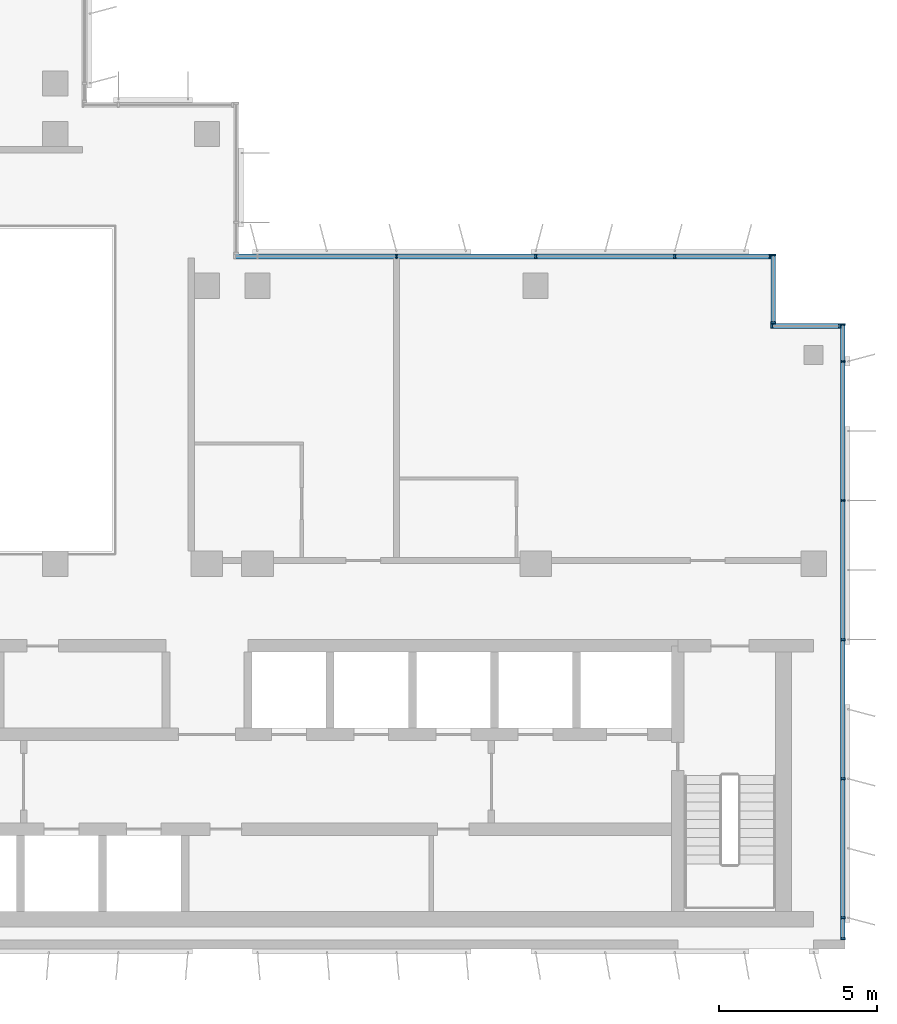
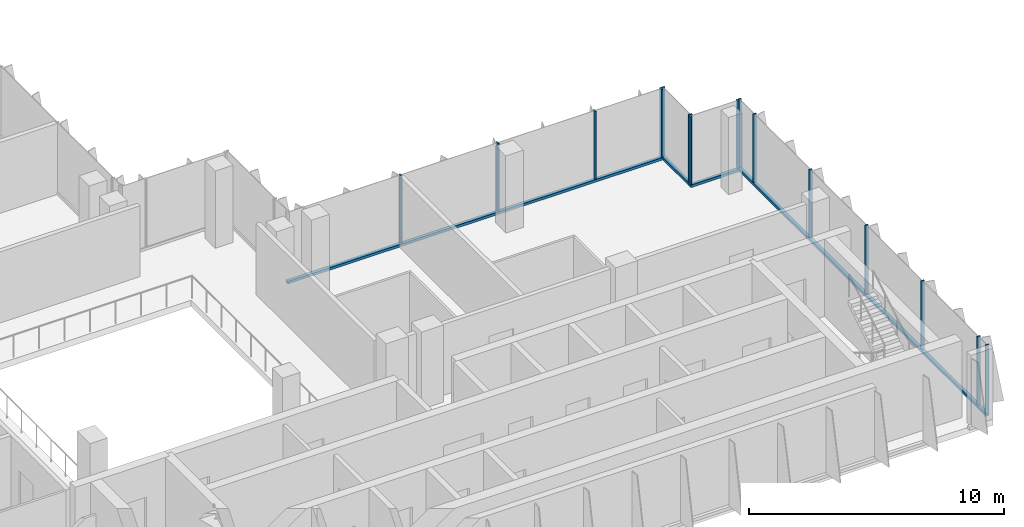
# One storey, part 3 of 15: 19 members, 4 elements without a shape of their own.
"""IFC4 building model written with IfcOpenShell, lengths in metres."""

import ifcopenshell
import ifcopenshell.guid

model = None  # the IFC model being written
_history = None  # IfcOwnerHistory: only IFC2X3 demands one
_inside = {}  # id of a spatial element -> (the spatial element, [elements in it])
_under = {}  # id of a project, library or spatial element -> (it, [spatial elements below it])
_declared = {}  # id of a project -> (the project, [libraries it declares])
_typed = {}  # id of a type object -> (the type object, [elements of that type])
_made_of = {}  # id of a material, layer set ... -> (it, [elements and type objects made of it])


def new_model(schema):
    """Start an empty IFC model of exactly this schema.

    Asked for "IFC4X3", IfcOpenShell would pick the latest addendum, in which some entities
    have other attributes; the version numbers below select the first issue.
    IFC2X3 requires an IfcOwnerHistory on every rooted entity: one is made here for all.
    """
    global model, _history
    if schema == "IFC4X3":
        model = ifcopenshell.file(schema_version=(4, 3, 0, 0))
    else:
        model = ifcopenshell.file(schema=schema)
    _inside.clear()
    _under.clear()
    _declared.clear()
    _typed.clear()
    _made_of.clear()
    _history = None
    if model.schema == "IFC2X3":
        org = make("IfcOrganization", Name="unknown")
        user = make(
            "IfcPersonAndOrganization",
            ThePerson=make("IfcPerson", FamilyName="unknown"),
            TheOrganization=org,
        )
        app = make(
            "IfcApplication",
            ApplicationDeveloper=org,
            Version="unknown",
            ApplicationFullName="unknown",
            ApplicationIdentifier="unknown",
        )
        _history = make(
            "IfcOwnerHistory",
            OwningUser=user,
            OwningApplication=app,
            ChangeAction="ADDED",
            CreationDate=0,
        )
    return model


def make(cls, **values):
    """One entity of the class cls with the attributes given. An attribute that is None is left unset."""
    return model.create_entity(
        cls, **{name: value for name, value in values.items() if value is not None}
    )


def rooted(cls, **values):
    """An entity with a GlobalId (a new one), such as an element, a storey or a relation."""
    return make(cls, GlobalId=ifcopenshell.guid.new(), OwnerHistory=_history, **values)


def si_unit(unit_type, name, prefix=None):
    """IfcSIUnit, for example si_unit("LENGTHUNIT", "METRE", prefix="MILLI")."""
    return make("IfcSIUnit", UnitType=unit_type, Prefix=prefix, Name=name)


def assignment(units):
    """IfcUnitAssignment: the units of a project."""
    return None if units is None else make("IfcUnitAssignment", Units=units)


def point(xyz):
    """IfcCartesianPoint."""
    return None if xyz is None else make("IfcCartesianPoint", Coordinates=xyz)


def direction(xyz):
    """IfcDirection."""
    return None if xyz is None else make("IfcDirection", DirectionRatios=xyz)


def frame(location, z_axis=None, x_axis=None):
    """IfcAxis2Placement3D, a coordinate frame: its origin and axes. An axis left out is left unset."""
    return make(
        "IfcAxis2Placement3D",
        Location=point(location),
        Axis=direction(z_axis),
        RefDirection=direction(x_axis),
    )


def frame_2d(location, x_axis=None):
    """IfcAxis2Placement2D, a coordinate frame in the plane: its origin and x axis."""
    return make(
        "IfcAxis2Placement2D", Location=point(location), RefDirection=direction(x_axis)
    )


def origin():
    """The frame at (0, 0, 0) with its axes left unset."""
    return frame((0.0, 0.0, 0.0))


def origin_2d():
    """The frame at (0, 0) in the plane with its x axis left unset."""
    return frame_2d((0.0, 0.0))


def place(relative_to, where):
    """IfcLocalPlacement: puts the frame where relative to a parent placement (None: the world)."""
    return make(
        "IfcLocalPlacement", PlacementRelTo=relative_to, RelativePlacement=where
    )


def context(
    kind, dimensions, precision=None, world=None, true_north=None, identifier=None
):
    """IfcGeometricRepresentationContext, for example the 3D "Model" context."""
    return make(
        "IfcGeometricRepresentationContext",
        ContextIdentifier=identifier,
        ContextType=kind,
        CoordinateSpaceDimension=dimensions,
        Precision=precision,
        WorldCoordinateSystem=world,
        TrueNorth=true_north,
    )


def subcontext(parent, identifier, kind, view, scale=None):
    """IfcGeometricRepresentationSubContext, for example "Body" below "Model"."""
    return make(
        "IfcGeometricRepresentationSubContext",
        ContextIdentifier=identifier,
        ContextType=kind,
        ParentContext=parent,
        TargetScale=scale,
        TargetView=view,
    )


def project(units=None, contexts=None):
    """IfcProject with its units and contexts."""
    return rooted(
        "IfcProject",
        Name="project",
        RepresentationContexts=contexts,
        UnitsInContext=assignment(units),
    )


def spatial(cls, under=None, at=None, **own):
    """A site, building, storey or space (cls), placed at a placement, below another one or the project."""
    s = rooted(cls, ObjectPlacement=at, **own)
    if under is not None:
        _under.setdefault(under.id(), (under, []))[1].append(s)
    return s


def profile(cls, at=None, kind="AREA", **sizes):
    """A parametric profile (cls). Its sizes go by their IFC names, for example OverallWidth=200.0."""
    return make(cls, ProfileType=kind, Position=at, **sizes)


def rectangle(**sizes):
    """IfcRectangleProfileDef."""
    return profile("IfcRectangleProfileDef", **sizes)


def extrude(swept, where, along, depth):
    """IfcExtrudedAreaSolid: the profile swept, set in the frame where, extruded along a direction by depth."""
    return make(
        "IfcExtrudedAreaSolid",
        SweptArea=swept,
        Position=where,
        ExtrudedDirection=direction(along),
        Depth=depth,
    )


def shape(context_of_items, identifier, shape_type, items):
    """IfcShapeRepresentation: the items that make up one representation, for example the "Body"."""
    return make(
        "IfcShapeRepresentation",
        ContextOfItems=context_of_items,
        RepresentationIdentifier=identifier,
        RepresentationType=shape_type,
        Items=items,
    )


def source(mapping_origin, context_of_items, identifier, shape_type, items):
    """IfcRepresentationMap: a shape defined once, which mapped items show again and again."""
    return make(
        "IfcRepresentationMap",
        MappingOrigin=mapping_origin,
        MappedRepresentation=shape(context_of_items, identifier, shape_type, items),
    )


def transform(
    local_origin,
    x_axis=None,
    y_axis=None,
    z_axis=None,
    scale=None,
    scale2=None,
    scale3=None,
    uniform=True,
):
    """IfcCartesianTransformationOperator3D, or its non-uniform kind. x_axis, y_axis, z_axis: its Axis1, 2, 3."""
    if uniform:
        return make(
            "IfcCartesianTransformationOperator3D",
            Axis1=direction(x_axis),
            Axis2=direction(y_axis),
            LocalOrigin=point(local_origin),
            Scale=scale,
            Axis3=direction(z_axis),
        )
    return make(
        "IfcCartesianTransformationOperator3DnonUniform",
        Axis1=direction(x_axis),
        Axis2=direction(y_axis),
        LocalOrigin=point(local_origin),
        Scale=scale,
        Axis3=direction(z_axis),
        Scale2=scale2,
        Scale3=scale3,
    )


def mapped(mapping_source, mapping_target):
    """IfcMappedItem: shows the shape of a source again, moved by a transform."""
    return make(
        "IfcMappedItem", MappingSource=mapping_source, MappingTarget=mapping_target
    )


def material(Name=None, Category=None):
    """IfcMaterial."""
    return make("IfcMaterial", Name=Name, Category=Category)


def material_profile(
    of_material, cross_section, Name=None, Category=None, Priority=None
):
    """IfcMaterialProfile: a cross section and its material."""
    return make(
        "IfcMaterialProfile",
        Name=Name,
        Material=of_material,
        Profile=cross_section,
        Priority=Priority,
        Category=Category,
    )


def profile_set(profiles, Name=None, composite=None):
    """IfcMaterialProfileSet."""
    return make(
        "IfcMaterialProfileSet",
        Name=Name,
        MaterialProfiles=profiles,
        CompositeProfile=composite,
    )


def made_of(thing, what):
    """Note that an element or type object is made of a material, layer set ...; save() writes the relation."""
    if what is not None:
        _made_of.setdefault(what.id(), (what, []))[1].append(thing)
    return thing


def type_object(cls, material=None, **own):
    """A type object (cls), such as IfcWallType, which elements share."""
    return made_of(rooted(cls, **own), material)


def element(
    cls,
    number,
    at=None,
    inside=None,
    cuts=None,
    type_object=None,
    material=None,
    context=None,
    identifier="Body",
    shape_type=None,
    held_by="IfcProductDefinitionShape",
    body=None,
    shapes=None,
    **own,
):
    """One element of the class cls, such as IfcWall. Its Tag is "e" and its number.

    at: its placement. inside: the storey or other place that contains it. cuts: it is an
    opening in that element (IfcRelVoidsElement). A single representation is given by context,
    identifier, shape_type and body (its items); several are given by shapes. held_by: the class
    of the entity that holds the representations. save() writes the other relations.
    """
    e = rooted(cls, Tag="e%d" % number, ObjectPlacement=at, **own)
    if body is not None:
        shapes = [shape(context, identifier, shape_type, body)]
    if shapes is not None:
        e.Representation = make(held_by, Representations=shapes)
    if inside is not None:
        _inside.setdefault(inside.id(), (inside, []))[1].append(e)
    if cuts is not None:
        rooted(
            "IfcRelVoidsElement", RelatingBuildingElement=cuts, RelatedOpeningElement=e
        )
    if type_object is not None:
        _typed.setdefault(type_object.id(), (type_object, []))[1].append(e)
    return made_of(e, material)


def aggregate(whole, parts):
    """IfcRelAggregates: a whole, such as a stair, and the parts it consists of."""
    return rooted("IfcRelAggregates", RelatingObject=whole, RelatedObjects=parts)


def save(model, path):
    """Write the relations noted so far, then the file.

    IfcRelAggregates (storeys below a building ...), IfcRelContainedInSpatialStructure (elements
    in a storey), IfcRelDefinesByType, IfcRelAssociatesMaterial and IfcRelDeclares: one each for
    every whole, place, type object, material and project.
    """
    for whole, parts in _under.values():
        aggregate(whole, parts)
    for where, things in _inside.values():
        rooted(
            "IfcRelContainedInSpatialStructure",
            RelatedElements=things,
            RelatingStructure=where,
        )
    for kind, things in _typed.values():
        rooted("IfcRelDefinesByType", RelatedObjects=things, RelatingType=kind)
    for what, things in _made_of.values():
        rooted("IfcRelAssociatesMaterial", RelatedObjects=things, RelatingMaterial=what)
    for by, libraries in _declared.values():
        rooted("IfcRelDeclares", RelatingContext=by, RelatedDefinitions=libraries)
    model.write(path)


model = new_model("IFC4")

# Units and contexts
model_context = context("Model", 3, precision=1e-05, world=origin(), true_north=direction((0.0, 1.0)))
body_context = subcontext(model_context, "Body", "Model", "MODEL_VIEW")
ifc_project = project(units=[si_unit("LENGTHUNIT", "METRE"), si_unit("AREAUNIT", "SQUARE_METRE"), si_unit("VOLUMEUNIT", "CUBIC_METRE"), si_unit("PLANEANGLEUNIT", "RADIAN"), si_unit("MASSUNIT", "GRAM", prefix="KILO")], contexts=[model_context])

# Site, building, storey
site_placement = place(None, origin())
site = spatial("IfcSite", under=ifc_project, at=site_placement, CompositionType="ELEMENT")
building_placement = place(site_placement, origin())
building = spatial("IfcBuilding", under=site, at=building_placement, Name="Kemantara Hotel Tower", CompositionType="ELEMENT")
storey_placement = place(building_placement, frame((0.0, 0.0, 230.199951171875)))
storey = spatial("IfcBuildingStorey", under=building, at=storey_placement, Name="L57", CompositionType="ELEMENT", Elevation=230.199951171875)

# Curtain wall, member
ifc_material_1 = material(Name="Low-E tinted double insulated glass 36 mm", Category="glass")
curtain_wall_type = type_object("IfcCurtainWallType", Name="TOWER CURTAIN WALL, FRONT FACES", PredefinedType="USERDEFINED", material=ifc_material_1)
curtain_wall_1_placement = place(storey_placement, origin())
curtain_wall_1 = element("IfcCurtainWall", 1, at=curtain_wall_1_placement, inside=storey, type_object=curtain_wall_type, Name="CW4 L57 T4-R09-1", ObjectType="TOWER CURTAIN WALL, FRONT FACES", PredefinedType="USERDEFINED")
ifc_material_2 = material(Name="Aluminium 6063-T6 bronze anodised", Category="aluminium")
ifc_material_profile_1 = material_profile(ifc_material_2, rectangle(XDim=0.14990234375, YDim=0.1201171875, at=origin_2d()), Name="TOWER CURTAIN WALL, FRONT FACES TRANSOM")
ifc_profile_set_1 = profile_set([ifc_material_profile_1], Name="Aluminium 6063-T6 bronze anodised")
member_type_1 = type_object("IfcMemberType", Name="TOWER CURTAIN WALL, FRONT FACES TRANSOM", PredefinedType="USERDEFINED", material=ifc_profile_set_1)
member_1_placement = place(storey_placement, frame((45.925048828125, 0.300048828125, 0.06005859375), z_axis=(0.0, 1.0, 0.0), x_axis=(-1.0, 0.0, 0.0)))
member_1 = element("IfcMember", 2, at=member_1_placement, type_object=member_type_1, Name="CW4 sill transom T4-R09-1", ObjectType="TRANSOM", PredefinedType="USERDEFINED", context=body_context, shape_type="SweptSolid", body=[
    extrude(rectangle(XDim=0.14990234375, YDim=0.1201171875, at=origin_2d()), origin(), (0.0, 0.0, 1.0), 19.5),
])

curtain_wall_2_placement = place(storey_placement, origin())
curtain_wall_2 = element("IfcCurtainWall", 3, at=curtain_wall_2_placement, inside=storey, type_object=curtain_wall_type, Name="CW4 L57 T4-R12-1", ObjectType="TOWER CURTAIN WALL, FRONT FACES", PredefinedType="USERDEFINED")
member_2_placement = place(storey_placement, frame((43.64990234375, 21.925048828125, 0.06005859375), z_axis=(-1.0, 0.0, 0.0), x_axis=(0.0, -1.0, 0.0)))
member_2 = element("IfcMember", 4, at=member_2_placement, type_object=member_type_1, Name="CW4 sill transom T4-R12-1", ObjectType="TRANSOM", PredefinedType="USERDEFINED", context=body_context, shape_type="SweptSolid", body=[
    extrude(rectangle(XDim=0.14990234375, YDim=0.1201171875, at=origin_2d()), origin(), (0.0, 0.0, 1.0), 17.0),
])

curtain_wall_3_placement = place(storey_placement, origin())
curtain_wall_3 = element("IfcCurtainWall", 5, at=curtain_wall_3_placement, inside=storey, type_object=curtain_wall_type, Name="CW4 L57 T4-R10-1", ObjectType="TOWER CURTAIN WALL, FRONT FACES", PredefinedType="USERDEFINED")
member_3_placement = place(storey_placement, frame((45.85009765625, 19.72509765625, 0.06005859375), z_axis=(-1.0, 0.0, 0.0), x_axis=(0.0, -1.0, 0.0)))
member_3 = element("IfcMember", 6, at=member_3_placement, type_object=member_type_1, Name="CW4 sill transom T4-R10-1", ObjectType="TRANSOM", PredefinedType="USERDEFINED", context=body_context, shape_type="SweptSolid", body=[
    extrude(rectangle(XDim=0.14990234375, YDim=0.1201171875, at=origin_2d()), origin(), (0.0, 0.0, 1.0), 2.2001953125),
])

curtain_wall_4_placement = place(storey_placement, origin())
curtain_wall_4 = element("IfcCurtainWall", 7, at=curtain_wall_4_placement, inside=storey, type_object=curtain_wall_type, Name="CW4 L57 T4-R11-1", ObjectType="TOWER CURTAIN WALL, FRONT FACES", PredefinedType="USERDEFINED")
member_4_placement = place(storey_placement, frame((43.72509765625, 19.800048828125, 0.06005859375), z_axis=(0.0, 1.0, 0.0), x_axis=(-1.0, 0.0, 0.0)))
member_4 = element("IfcMember", 8, at=member_4_placement, type_object=member_type_1, Name="CW4 sill transom T4-R11-1", ObjectType="TRANSOM", PredefinedType="USERDEFINED", context=body_context, shape_type="SweptSolid", body=[
    extrude(rectangle(XDim=0.14990234375, YDim=0.1201171875, at=origin_2d()), origin(), (0.0, 0.0, 1.0), 2.199951171875),
])

# Member
ifc_material_profile_2 = material_profile(ifc_material_2, rectangle(XDim=0.14990234375, YDim=0.06005859375, at=origin_2d()), Name="TOWER CURTAIN WALL, FRONT FACES MULLION")
ifc_profile_set_2 = profile_set([ifc_material_profile_2], Name="Aluminium 6063-T6 bronze anodised")
member_type_2 = type_object("IfcMemberType", Name="TOWER CURTAIN WALL, FRONT FACES MULLION", PredefinedType="MULLION", material=ifc_profile_set_2)
shared_shape = source(origin(), body_context, "Body", "SweptSolid", [
    extrude(rectangle(XDim=0.14990234375, YDim=0.06005859375, at=origin_2d()), origin(), (0.0, 0.0, 1.0), 3.280029296875),
])
member_5_placement = place(storey_placement, frame((45.925048828125, 0.330078125, 0.1201171875), z_axis=(0.0, 0.0, 1.0), x_axis=(-1.0, 0.0, 0.0)))
member_5 = element("IfcMember", 9, at=member_5_placement, type_object=member_type_2, Name="CW4 mullion T4-R09-1.1", PredefinedType="MULLION", context=body_context, shape_type="MappedRepresentation", body=[
    mapped(shared_shape, transform((0.0, 0.0, 0.0))),
])

member_6_placement = place(storey_placement, frame((45.925048828125, 1.0, 0.1201171875), z_axis=(0.0, 0.0, 1.0), x_axis=(-1.0, 0.0, 0.0)))
member_6 = element("IfcMember", 10, at=member_6_placement, type_object=member_type_2, Name="CW4 mullion T4-R09-1.2", PredefinedType="MULLION", context=body_context, shape_type="MappedRepresentation", body=[
    mapped(shared_shape, transform((0.0, 0.0, 0.0))),
])

member_7_placement = place(storey_placement, frame((45.925048828125, 5.39990234375, 0.1201171875), z_axis=(0.0, 0.0, 1.0), x_axis=(-1.0, 0.0, 0.0)))
member_7 = element("IfcMember", 11, at=member_7_placement, type_object=member_type_2, Name="CW4 mullion T4-R09-1.3", PredefinedType="MULLION", context=body_context, shape_type="MappedRepresentation", body=[
    mapped(shared_shape, transform((0.0, 0.0, 0.0))),
])

member_8_placement = place(storey_placement, frame((45.925048828125, 9.800048828125, 0.1201171875), z_axis=(0.0, 0.0, 1.0), x_axis=(-1.0, 0.0, 0.0)))
member_8 = element("IfcMember", 12, at=member_8_placement, type_object=member_type_2, Name="CW4 mullion T4-R09-1.4", PredefinedType="MULLION", context=body_context, shape_type="MappedRepresentation", body=[
    mapped(shared_shape, transform((0.0, 0.0, 0.0))),
])

member_9_placement = place(storey_placement, frame((45.925048828125, 14.199951171875, 0.1201171875), z_axis=(0.0, 0.0, 1.0), x_axis=(-1.0, 0.0, 0.0)))
member_9 = element("IfcMember", 13, at=member_9_placement, type_object=member_type_2, Name="CW4 mullion T4-R09-1.5", PredefinedType="MULLION", context=body_context, shape_type="MappedRepresentation", body=[
    mapped(shared_shape, transform((0.0, 0.0, 0.0))),
])

member_10_placement = place(storey_placement, frame((45.925048828125, 18.60009765625, 0.1201171875), z_axis=(0.0, 0.0, 1.0), x_axis=(-1.0, 0.0, 0.0)))
member_10 = element("IfcMember", 14, at=member_10_placement, type_object=member_type_2, Name="CW4 mullion T4-R09-1.6", PredefinedType="MULLION", context=body_context, shape_type="MappedRepresentation", body=[
    mapped(shared_shape, transform((0.0, 0.0, 0.0))),
])

member_11_placement = place(storey_placement, frame((45.925048828125, 19.77001953125, 0.1201171875), z_axis=(0.0, 0.0, 1.0), x_axis=(-1.0, 0.0, 0.0)))
member_11 = element("IfcMember", 15, at=member_11_placement, type_object=member_type_2, Name="CW4 mullion T4-R09-1.7", PredefinedType="MULLION", context=body_context, shape_type="MappedRepresentation", body=[
    mapped(shared_shape, transform((0.0, 0.0, 0.0))),
])

aggregate(curtain_wall_1, [member_1, member_5, member_6, member_7, member_8, member_9, member_10, member_11])

member_12_placement = place(storey_placement, frame((43.6201171875, 21.925048828125, 0.1201171875), z_axis=(0.0, 0.0, 1.0), x_axis=(0.0, -1.0, 0.0)))
member_12 = element("IfcMember", 16, at=member_12_placement, type_object=member_type_2, Name="CW4 mullion T4-R12-1.1", PredefinedType="MULLION", context=body_context, shape_type="MappedRepresentation", body=[
    mapped(shared_shape, transform((0.0, 0.0, 0.0))),
])

member_13_placement = place(storey_placement, frame((40.60009765625, 21.925048828125, 0.1201171875), z_axis=(0.0, 0.0, 1.0), x_axis=(0.0, -1.0, 0.0)))
member_13 = element("IfcMember", 17, at=member_13_placement, type_object=member_type_2, Name="CW4 mullion T4-R12-1.2", PredefinedType="MULLION", context=body_context, shape_type="MappedRepresentation", body=[
    mapped(shared_shape, transform((0.0, 0.0, 0.0))),
])

member_14_placement = place(storey_placement, frame((36.199951171875, 21.925048828125, 0.1201171875), z_axis=(0.0, 0.0, 1.0), x_axis=(0.0, -1.0, 0.0)))
member_14 = element("IfcMember", 18, at=member_14_placement, type_object=member_type_2, Name="CW4 mullion T4-R12-1.3", PredefinedType="MULLION", context=body_context, shape_type="MappedRepresentation", body=[
    mapped(shared_shape, transform((0.0, 0.0, 0.0))),
])

member_15_placement = place(storey_placement, frame((31.800048828125, 21.925048828125, 0.1201171875), z_axis=(0.0, 0.0, 1.0), x_axis=(0.0, -1.0, 0.0)))
member_15 = element("IfcMember", 19, at=member_15_placement, type_object=member_type_2, Name="CW4 mullion T4-R12-1.4", PredefinedType="MULLION", context=body_context, shape_type="MappedRepresentation", body=[
    mapped(shared_shape, transform((0.0, 0.0, 0.0))),
])

aggregate(curtain_wall_2, [member_2, member_12, member_13, member_14, member_15])

member_16_placement = place(storey_placement, frame((45.820068359375, 19.72509765625, 0.1201171875), z_axis=(0.0, 0.0, 1.0), x_axis=(0.0, -1.0, 0.0)))
member_16 = element("IfcMember", 20, at=member_16_placement, type_object=member_type_2, Name="CW4 mullion T4-R10-1.1", PredefinedType="MULLION", context=body_context, shape_type="MappedRepresentation", body=[
    mapped(shared_shape, transform((0.0, 0.0, 0.0))),
])

member_17_placement = place(storey_placement, frame((43.679931640625, 19.72509765625, 0.1201171875), z_axis=(0.0, 0.0, 1.0), x_axis=(0.0, -1.0, 0.0)))
member_17 = element("IfcMember", 21, at=member_17_placement, type_object=member_type_2, Name="CW4 mullion T4-R10-1.2", PredefinedType="MULLION", context=body_context, shape_type="MappedRepresentation", body=[
    mapped(shared_shape, transform((0.0, 0.0, 0.0))),
])

aggregate(curtain_wall_3, [member_3, member_16, member_17])

member_18_placement = place(storey_placement, frame((43.72509765625, 19.830078125, 0.1201171875), z_axis=(0.0, 0.0, 1.0), x_axis=(-1.0, 0.0, 0.0)))
member_18 = element("IfcMember", 22, at=member_18_placement, type_object=member_type_2, Name="CW4 mullion T4-R11-1.1", PredefinedType="MULLION", context=body_context, shape_type="MappedRepresentation", body=[
    mapped(shared_shape, transform((0.0, 0.0, 0.0))),
])

member_19_placement = place(storey_placement, frame((43.72509765625, 21.969970703125, 0.1201171875), z_axis=(0.0, 0.0, 1.0), x_axis=(-1.0, 0.0, 0.0)))
member_19 = element("IfcMember", 23, at=member_19_placement, type_object=member_type_2, Name="CW4 mullion T4-R11-1.2", PredefinedType="MULLION", context=body_context, shape_type="MappedRepresentation", body=[
    mapped(shared_shape, transform((0.0, 0.0, 0.0))),
])

aggregate(curtain_wall_4, [member_4, member_18, member_19])

save(model, "model.ifc")
